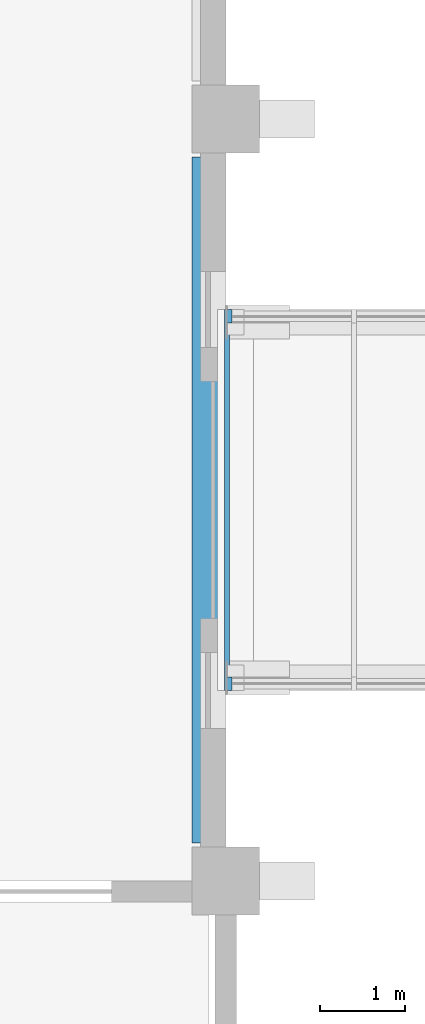
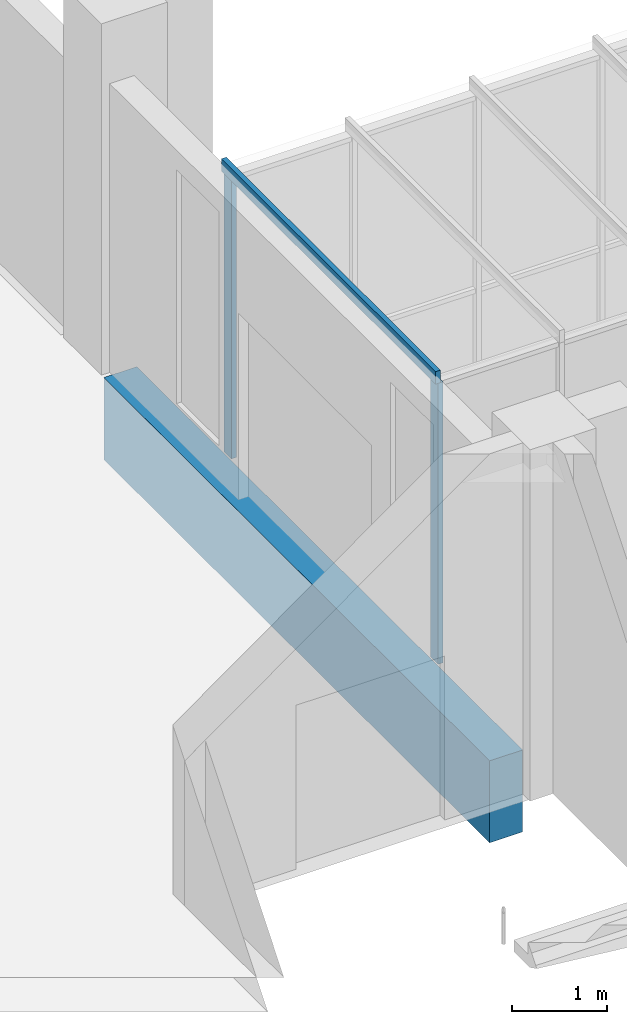
# One storey, part 7 of 106: 3 members, 1 beam, 3 elements without a shape of their own.
"""IFC4 building model written with IfcOpenShell, lengths in metres."""

from ifc_helpers import new_model, si_unit, direction, frame, origin, origin_2d, place, context, subcontext, project, spatial, rectangle, extrude, material, layer, layer_set, material_profile, profile_set, type_object, element, aggregate, save


model = new_model("IFC4")

# Units and contexts
model_context = context("Model", 3, precision=1e-05, world=origin(), true_north=direction((0.0, 1.0)))
body_context = subcontext(model_context, "Body", "Model", "MODEL_VIEW")
ifc_project = project(units=[si_unit("LENGTHUNIT", "METRE"), si_unit("AREAUNIT", "SQUARE_METRE"), si_unit("VOLUMEUNIT", "CUBIC_METRE"), si_unit("PLANEANGLEUNIT", "RADIAN"), si_unit("MASSUNIT", "GRAM", prefix="KILO")], contexts=[model_context])

# Site, building, storey
site_placement = place(None, origin())
site = spatial("IfcSite", under=ifc_project, at=site_placement, CompositionType="ELEMENT")
building_placement = place(site_placement, origin())
building = spatial("IfcBuilding", under=site, at=building_placement, Name="Guidao Yard Department Store", CompositionType="ELEMENT")
storey_placement = place(building_placement, frame((0.0, 0.0, 10.5)))
storey = spatial("IfcBuildingStorey", under=building, at=storey_placement, Name="L02", CompositionType="ELEMENT", Elevation=10.5)

# Beam
ifc_material_1 = material(Name="Concrete C40", Category="concrete")
ifc_material_profile_1 = material_profile(ifc_material_1, rectangle(XDim=0.39990234375, YDim=1.050048828125, at=origin_2d()), Name="Bridge landing beam 400 x 1050 C40")
ifc_profile_set_1 = profile_set([ifc_material_profile_1], Name="Concrete C40")
beam_type = type_object("IfcBeamType", Name="Bridge landing beam 400 x 1050 C40", PredefinedType="BEAM", material=ifc_profile_set_1)
beam_placement = place(storey_placement, frame((62.800048828125, 54.449951171875, -0.52490234375), z_axis=(0.0, 1.0, 0.0), x_axis=(-1.0, 0.0, 0.0)))
element("IfcBeam", 1, at=beam_placement, inside=storey, type_object=beam_type, Name="Beam LB01", PredefinedType="BEAM", context=body_context, shape_type="SweptSolid", body=[
    extrude(rectangle(XDim=0.39990234375, YDim=1.050048828125, at=origin_2d()), origin(), (0.0, 0.0, 1.0), 8.10009765625),
])

# Curtain wall, member
ifc_material_2 = material(Name="Aluminium and glass", Category="aluminium")
ifc_layer = layer(ifc_material_2, 0.159912109375)
ifc_layer_set = layer_set([ifc_layer], Name="Bridge glazing CW5 1500 module")
curtain_wall_type = type_object("IfcCurtainWallType", Name="Bridge glazing CW5 1500 module", PredefinedType="NOTDEFINED", material=ifc_layer_set)
curtain_wall_1_placement = place(storey_placement, origin())
curtain_wall_1 = element("IfcCurtainWall", 2, at=curtain_wall_1_placement, inside=storey, type_object=curtain_wall_type, Name="Bridge glazing BR03 S", PredefinedType="NOTDEFINED")
ifc_material_3 = material(Name="Aluminium 6063-T5", Category="aluminium")
ifc_material_profile_2 = material_profile(ifc_material_3, rectangle(XDim=0.06005859375, YDim=0.159912109375, at=origin_2d()), Name="Mullion M1 60 x 160 aluminium pressure plate")
ifc_profile_set_2 = profile_set([ifc_material_profile_2], Name="Aluminium 6063-T5")
member_type_1 = type_object("IfcMemberType", Name="Mullion M1 60 x 160 aluminium pressure plate", PredefinedType="MULLION", material=ifc_profile_set_2)
member_1_placement = place(storey_placement, frame((63.044921875, 56.330078125, 0.0), z_axis=(0.0, 0.0, 1.0), x_axis=(-1.0, 0.0, 0.0)))
member_1 = element("IfcMember", 3, at=member_1_placement, type_object=member_type_1, Name="CW-S-L02-01 mullion 1", PredefinedType="MULLION", context=body_context, shape_type="SweptSolid", body=[
    extrude(rectangle(XDim=0.06005859375, YDim=0.159912109375, at=origin_2d()), origin(), (0.0, 0.0, 1.0), 3.60009765625),
])
aggregate(curtain_wall_1, [member_1])

curtain_wall_2_placement = place(storey_placement, origin())
curtain_wall_2 = element("IfcCurtainWall", 4, at=curtain_wall_2_placement, inside=storey, type_object=curtain_wall_type, Name="Bridge glazing BR03 N", PredefinedType="NOTDEFINED")
member_2_placement = place(storey_placement, frame((63.044921875, 60.669921875, 0.0), z_axis=(0.0, 0.0, 1.0), x_axis=(1.0, 0.0, 0.0)))
member_2 = element("IfcMember", 5, at=member_2_placement, type_object=member_type_1, Name="CW-N-L02-02 mullion 1", PredefinedType="MULLION", context=body_context, shape_type="SweptSolid", body=[
    extrude(rectangle(XDim=0.06005859375, YDim=0.159912109375, at=origin_2d()), origin(), (0.0, 0.0, 1.0), 3.60009765625),
])
aggregate(curtain_wall_2, [member_2])

curtain_wall_3_placement = place(storey_placement, origin())
curtain_wall_3 = element("IfcCurtainWall", 6, at=curtain_wall_3_placement, inside=storey, type_object=curtain_wall_type, Name="Bridge roof glazing BR03", PredefinedType="NOTDEFINED")
ifc_material_4 = material(Name="Aluminium 6063-T5", Category="aluminium")
ifc_material_profile_3 = material_profile(ifc_material_4, rectangle(XDim=0.06005859375, YDim=0.159912109375, at=origin_2d()), Name="Roof bar RB1 60 x 160 aluminium")
ifc_profile_set_3 = profile_set([ifc_material_profile_3], Name="Aluminium 6063-T5")
member_type_2 = type_object("IfcMemberType", Name="Roof bar RB1 60 x 160 aluminium", PredefinedType="USERDEFINED", material=ifc_profile_set_3)
member_3_placement = place(storey_placement, frame((63.014892578125, 56.25, 3.679931640625), z_axis=(0.0, 1.0, 0.0), x_axis=(-1.0, 0.0, 0.0)))
member_3 = element("IfcMember", 7, at=member_3_placement, type_object=member_type_2, Name="Bridge roof bar BR03", ObjectType="TRANSOM", PredefinedType="USERDEFINED", context=body_context, shape_type="SweptSolid", body=[
    extrude(rectangle(XDim=0.06005859375, YDim=0.159912109375, at=origin_2d()), origin(), (0.0, 0.0, 1.0), 4.5),
])
aggregate(curtain_wall_3, [member_3])

save(model, "model.ifc")
